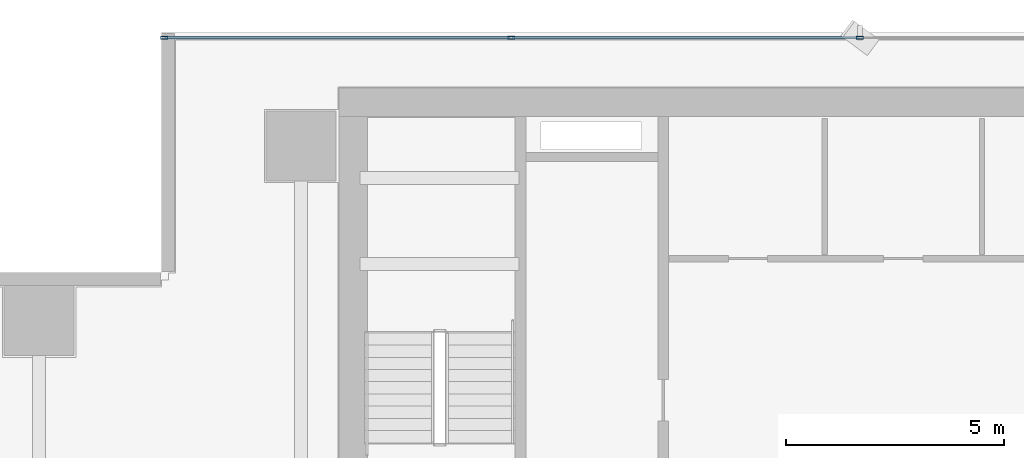
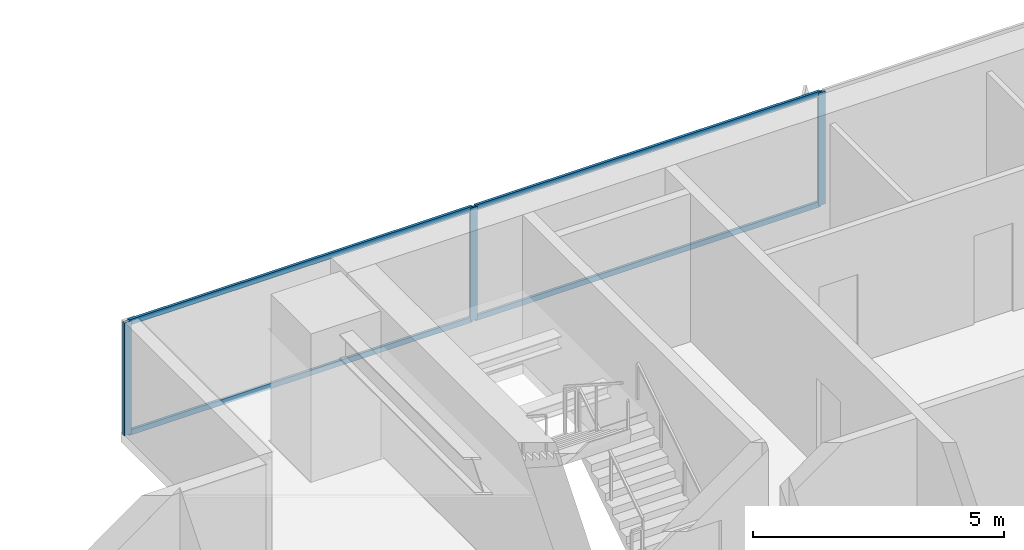
# One storey, part 20 of 34: 7 members, 1 element without a shape of its own.
"""IFC4 building model written with IfcOpenShell, lengths in metres."""

from ifc_helpers import new_model, si_unit, direction, frame, origin, origin_2d, place, context, subcontext, project, spatial, hollow_rectangle, extrude, source, transform, mapped, material, layer, layer_set, material_profile, profile_set, type_object, element, aggregate, save


model = new_model("IFC4")

# Units and contexts
model_context = context("Model", 3, precision=1e-05, world=origin(), true_north=direction((0.0, 1.0)))
body_context = subcontext(model_context, "Body", "Model", "MODEL_VIEW")
ifc_project = project(units=[si_unit("LENGTHUNIT", "METRE"), si_unit("AREAUNIT", "SQUARE_METRE"), si_unit("VOLUMEUNIT", "CUBIC_METRE"), si_unit("PLANEANGLEUNIT", "RADIAN"), si_unit("MASSUNIT", "GRAM", prefix="KILO")], contexts=[model_context])

# Site, building, storey
site_placement = place(None, origin())
site = spatial("IfcSite", under=ifc_project, at=site_placement, CompositionType="ELEMENT")
building_placement = place(site_placement, origin())
building = spatial("IfcBuilding", under=site, at=building_placement, Name="Sumidabori Civic Tower", CompositionType="ELEMENT")
storey_placement = place(building_placement, frame((0.0, 0.0, 106.39990234375)))
storey = spatial("IfcBuildingStorey", under=building, at=storey_placement, Name="L27", CompositionType="ELEMENT", Elevation=106.39990234375)

# Curtain wall, members
ifc_material = material(Name="Anodised Bronze Aluminium AW-6063-T6", Category="aluminium")
ifc_layer = layer(ifc_material, 0.179931640625, Name="Anodised Bronze Aluminium AW-6063-T6")
ifc_layer_set = layer_set([ifc_layer], Name="Anodised Bronze Aluminium AW-6063-T6")
curtain_wall_type = type_object("IfcCurtainWallType", Name="CW-SYS-3", PredefinedType="NOTDEFINED", material=ifc_layer_set)
curtain_wall_placement = place(storey_placement, origin())
curtain_wall = element("IfcCurtainWall", 1, at=curtain_wall_placement, inside=storey, type_object=curtain_wall_type, Name="Curtain Wall CW:L27:R07", PredefinedType="NOTDEFINED")
ifc_material_profile_1 = material_profile(ifc_material, hollow_rectangle(XDim=0.06494140625, YDim=0.159912109375, WallThickness=0.0048828125, at=origin_2d()), Name="ALU MULLION 160x65")
ifc_profile_set_1 = profile_set([ifc_material_profile_1], Name="Anodised Bronze Aluminium AW-6063-T6")
member_type_1 = type_object("IfcMemberType", Name="CW-MUL-160", PredefinedType="MULLION", material=ifc_profile_set_1)
shared_shape_1 = source(origin(), body_context, "Body", "SweptSolid", [
    extrude(hollow_rectangle(XDim=0.06494140625, YDim=0.159912109375, WallThickness=0.0048828125, at=origin_2d()), origin(), (0.0, 0.0, 1.0), 2.739990234375),
])
member_1_placement = place(storey_placement, frame((-3.993896484375, 25.280029296875, 0.0), z_axis=(0.0, 0.0, 1.0), x_axis=(0.0, -1.0, 0.0)))
member_1 = element("IfcMember", 2, at=member_1_placement, type_object=member_type_1, Name="CW-3 mullion 4", PredefinedType="MULLION", context=body_context, shape_type="MappedRepresentation", body=[
    mapped(shared_shape_1, transform((0.0, 0.0, 0.0), x_axis=(1.0, 0.0, 0.0), y_axis=(0.0, 1.0, 0.0), z_axis=(0.0, 0.0, 1.0), scale=1.0)),
])
member_2_placement = place(storey_placement, frame((-11.98193359375, 25.280029296875, 0.0), z_axis=(0.0, 0.0, 1.0), x_axis=(0.0, -1.0, 0.0)))
member_2 = element("IfcMember", 3, at=member_2_placement, type_object=member_type_1, Name="CW-3 mullion 5", PredefinedType="MULLION", context=body_context, shape_type="MappedRepresentation", body=[
    mapped(shared_shape_1, transform((0.0, 0.0, 0.0), x_axis=(1.0, 0.0, 0.0), y_axis=(0.0, 1.0, 0.0), z_axis=(0.0, 0.0, 1.0), scale=1.0)),
])
member_3_placement = place(storey_placement, frame((-19.9375, 25.280029296875, 0.0), z_axis=(0.0, 0.0, 1.0), x_axis=(0.0, -1.0, 0.0)))
member_3 = element("IfcMember", 4, at=member_3_placement, type_object=member_type_1, Name="CW-3 mullion 6", PredefinedType="MULLION", context=body_context, shape_type="MappedRepresentation", body=[
    mapped(shared_shape_1, transform((0.0, 0.0, 0.0), x_axis=(1.0, 0.0, 0.0), y_axis=(0.0, 1.0, 0.0), z_axis=(0.0, 0.0, 1.0), scale=1.0)),
])
ifc_material_profile_2 = material_profile(ifc_material, hollow_rectangle(XDim=0.06005859375, YDim=0.1298828125, WallThickness=0.0048828125, at=origin_2d()), Name="ALU TRANSOM 130x60")
ifc_profile_set_2 = profile_set([ifc_material_profile_2], Name="Anodised Bronze Aluminium AW-6063-T6")
member_type_2 = type_object("IfcMemberType", Name="CW-TRN-130", PredefinedType="USERDEFINED", material=ifc_profile_set_2)
shared_shape_2 = source(origin(), body_context, "Body", "SweptSolid", [
    extrude(hollow_rectangle(XDim=0.06005859375, YDim=0.1298828125, WallThickness=0.0048828125, at=origin_2d()), origin(), (0.0, 0.0, 1.0), 7.890625),
])
member_4_placement = place(storey_placement, frame((-12.014404296875, 25.280029296875, 0.030029296875), z_axis=(-1.0, 0.0, 0.0), x_axis=(0.0, -1.0, 0.0)))
member_4 = element("IfcMember", 5, at=member_4_placement, type_object=member_type_2, Name="CW-3 transom 5.1", ObjectType="TRANSOM", PredefinedType="USERDEFINED", context=body_context, shape_type="MappedRepresentation", body=[
    mapped(shared_shape_2, transform((0.0, 0.0, 0.0), x_axis=(1.0, 0.0, 0.0), y_axis=(0.0, 1.0, 0.0), z_axis=(0.0, 0.0, 1.0), scale=1.0)),
])
member_5_placement = place(storey_placement, frame((-12.014404296875, 25.280029296875, 2.710205078125), z_axis=(-1.0, 0.0, 0.0), x_axis=(0.0, -1.0, 0.0)))
member_5 = element("IfcMember", 6, at=member_5_placement, type_object=member_type_2, Name="CW-3 transom 5.2", ObjectType="TRANSOM", PredefinedType="USERDEFINED", context=body_context, shape_type="MappedRepresentation", body=[
    mapped(shared_shape_2, transform((0.0, 0.0, 0.0), x_axis=(1.0, 0.0, 0.0), y_axis=(0.0, 1.0, 0.0), z_axis=(0.0, 0.0, 1.0), scale=1.0)),
])
shared_shape_3 = source(origin(), body_context, "Body", "SweptSolid", [
    extrude(hollow_rectangle(XDim=0.06005859375, YDim=0.1298828125, WallThickness=0.0048828125, at=origin_2d()), origin(), (0.0, 0.0, 1.0), 7.9228515625),
])
member_6_placement = place(storey_placement, frame((-4.026611328125, 25.280029296875, 0.030029296875), z_axis=(-1.0, 0.0, 0.0), x_axis=(0.0, -1.0, 0.0)))
member_6 = element("IfcMember", 7, at=member_6_placement, type_object=member_type_2, Name="CW-3 transom 4.1", ObjectType="TRANSOM", PredefinedType="USERDEFINED", context=body_context, shape_type="MappedRepresentation", body=[
    mapped(shared_shape_3, transform((0.0, 0.0, 0.0), x_axis=(1.0, 0.0, 0.0), y_axis=(0.0, 1.0, 0.0), z_axis=(0.0, 0.0, 1.0), scale=1.0)),
])
member_7_placement = place(storey_placement, frame((-4.026611328125, 25.280029296875, 2.710205078125), z_axis=(-1.0, 0.0, 0.0), x_axis=(0.0, -1.0, 0.0)))
member_7 = element("IfcMember", 8, at=member_7_placement, type_object=member_type_2, Name="CW-3 transom 4.2", ObjectType="TRANSOM", PredefinedType="USERDEFINED", context=body_context, shape_type="MappedRepresentation", body=[
    mapped(shared_shape_3, transform((0.0, 0.0, 0.0), x_axis=(1.0, 0.0, 0.0), y_axis=(0.0, 1.0, 0.0), z_axis=(0.0, 0.0, 1.0), scale=1.0)),
])
aggregate(curtain_wall, [member_1, member_2, member_3, member_6, member_7, member_4, member_5])

save(model, "model.ifc")
